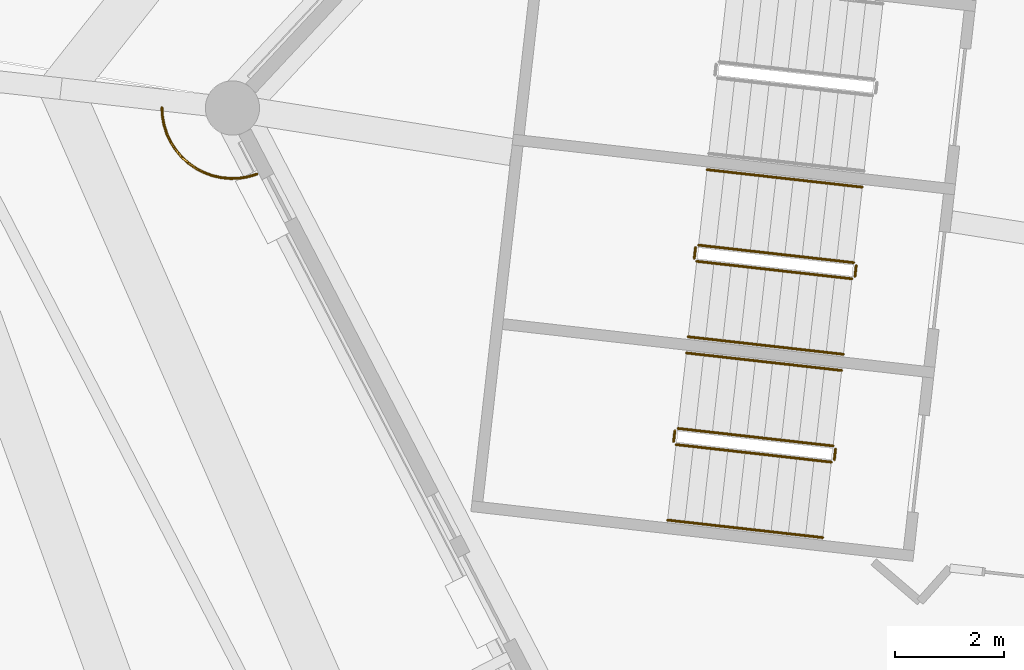
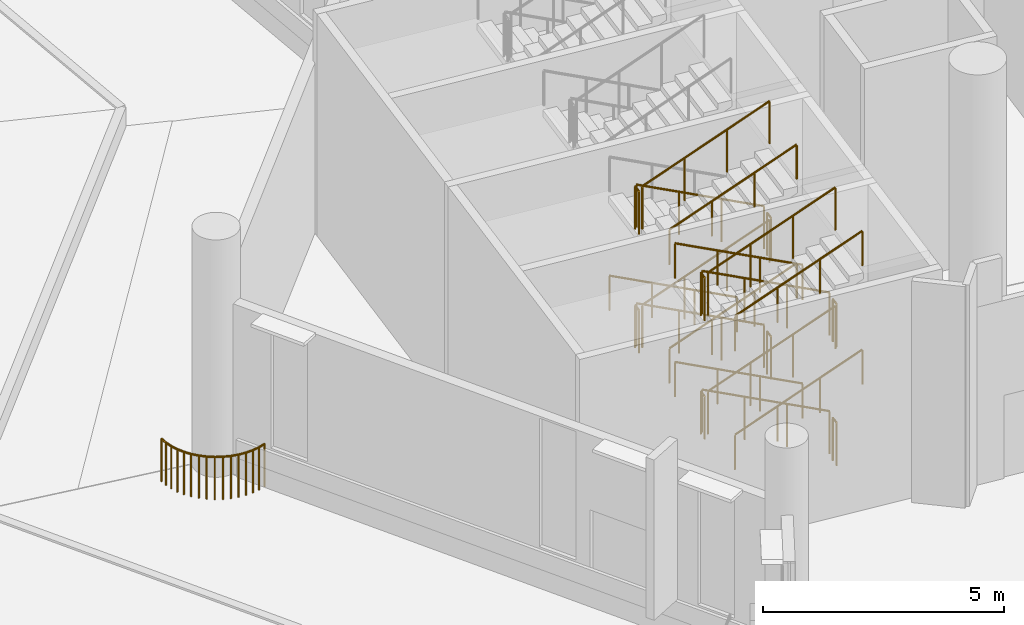
# One storey, part 146 of 173: 38 railings.
"""IFC4 building model written with IfcOpenShell, lengths in metres."""

from ifc_helpers import new_model, si_unit, direction, frame, origin, origin_2d, place, context, subcontext, project, spatial, circle, extrude, material, type_object, element, save


model = new_model("IFC4")

# Units and contexts
model_context = context("Model", 3, precision=1e-05, world=origin(), true_north=direction((0.0, 1.0)))
body_context = subcontext(model_context, "Body", "Model", "MODEL_VIEW")
ifc_project = project(units=[si_unit("LENGTHUNIT", "METRE"), si_unit("AREAUNIT", "SQUARE_METRE"), si_unit("VOLUMEUNIT", "CUBIC_METRE"), si_unit("PLANEANGLEUNIT", "RADIAN"), si_unit("MASSUNIT", "GRAM", prefix="KILO")], contexts=[model_context])

# Site, building, storey
site_placement = place(None, origin())
site = spatial("IfcSite", under=ifc_project, at=site_placement, CompositionType="ELEMENT")
building_placement = place(site_placement, origin())
building = spatial("IfcBuilding", under=site, at=building_placement, Name="Meseta Stadium", CompositionType="ELEMENT")
storey_placement = place(building_placement, frame((0.0, 0.0, 18.0)))
storey = spatial("IfcBuildingStorey", under=building, at=storey_placement, Name="L03", CompositionType="ELEMENT", Elevation=18.0)

# Railings
ifc_material_1 = material(Name="Steel S355", Category="steel")
railing_type_1 = type_object("IfcRailingType", Name="Roof garden guard 1100", PredefinedType="GUARDRAIL", material=ifc_material_1)
railing_1_placement = place(storey_placement, frame((-102.3515625, 56.2109375, 0.0)))
element("IfcRailing", 1, at=railing_1_placement, inside=storey, type_object=railing_type_1, Name="Roof garden pit guard 29.1.1", PredefinedType="GUARDRAIL", context=body_context, shape_type="SweptSolid", body=[
    extrude(circle(Radius=0.02490234375, at=origin_2d()), frame((0.0, 0.0, 1.0751953125), z_axis=(0.057175040538, -0.998364169399, 0.0), x_axis=(0.998364169399, 0.057175040538, 0.0)), (0.0, 0.0, 1.0), 0.16650390625),
    extrude(circle(Radius=0.02001953125, at=origin_2d()), origin(), (0.0, 0.0, 1.0), 1.050048828125),
    extrude(circle(Radius=0.02001953125, at=origin_2d()), frame((0.009521484375, -0.166259765625, 0.0)), (0.0, 0.0, 1.0), 1.050048828125),
])
railing_2_placement = place(storey_placement, frame((-102.342041015625, 56.044677734375, 0.0)))
element("IfcRailing", 2, at=railing_2_placement, inside=storey, type_object=railing_type_1, Name="Roof garden pit guard 29.1.2", PredefinedType="GUARDRAIL", context=body_context, shape_type="SweptSolid", body=[
    extrude(circle(Radius=0.02490234375, at=origin_2d()), frame((0.0, 0.0, 1.0751953125), z_axis=(0.18630942687, -0.98249111826, 0.0), x_axis=(0.98249111826, 0.18630942687, 0.0)), (0.0, 0.0, 1.0), 0.167724609375),
    extrude(circle(Radius=0.02001953125, at=origin_2d()), origin(), (0.0, 0.0, 1.0), 1.050048828125),
    extrude(circle(Radius=0.02001953125, at=origin_2d()), frame((0.03125, -0.164794921875, 0.0)), (0.0, 0.0, 1.0), 1.050048828125),
])
railing_3_placement = place(storey_placement, frame((-102.310791015625, 55.8798828125, 0.0)))
element("IfcRailing", 3, at=railing_3_placement, inside=storey, type_object=railing_type_1, Name="Roof garden pit guard 29.1.3", PredefinedType="GUARDRAIL", context=body_context, shape_type="SweptSolid", body=[
    extrude(circle(Radius=0.02490234375, at=origin_2d()), frame((0.0, 0.0, 1.0751953125), z_axis=(0.310106422583, -0.950701849516, 0.0), x_axis=(0.950701849516, 0.310106422583, 0.0)), (0.0, 0.0, 1.0), 0.167724609375),
    extrude(circle(Radius=0.02001953125, at=origin_2d()), origin(), (0.0, 0.0, 1.0), 1.050048828125),
    extrude(circle(Radius=0.02001953125, at=origin_2d()), frame((0.052001953125, -0.159423828125, 0.0)), (0.0, 0.0, 1.0), 1.050048828125),
])
railing_4_placement = place(storey_placement, frame((-102.2587890625, 55.720458984375, 0.0)))
element("IfcRailing", 4, at=railing_4_placement, inside=storey, type_object=railing_type_1, Name="Roof garden pit guard 29.1.4", PredefinedType="GUARDRAIL", context=body_context, shape_type="SweptSolid", body=[
    extrude(circle(Radius=0.02490234375, at=origin_2d()), frame((0.0, 0.0, 1.0751953125), z_axis=(0.429650885409, -0.902995081198, 0.0), x_axis=(0.902995081198, 0.429650885409, 0.0)), (0.0, 0.0, 1.0), 0.167724609375),
    extrude(circle(Radius=0.02001953125, at=origin_2d()), origin(), (0.0, 0.0, 1.0), 1.050048828125),
    extrude(circle(Radius=0.02001953125, at=origin_2d()), frame((0.072021484375, -0.1513671875, 0.0)), (0.0, 0.0, 1.0), 1.050048828125),
])
railing_5_placement = place(storey_placement, frame((-102.186767578125, 55.569091796875, 0.0)))
element("IfcRailing", 5, at=railing_5_placement, inside=storey, type_object=railing_type_1, Name="Roof garden pit guard 29.1.5", PredefinedType="GUARDRAIL", context=body_context, shape_type="SweptSolid", body=[
    extrude(circle(Radius=0.02490234375, at=origin_2d()), frame((0.0, 0.0, 1.0751953125), z_axis=(0.54288913588, -0.839804373734, 0.0), x_axis=(0.839804373734, 0.54288913588, 0.0)), (0.0, 0.0, 1.0), 0.167724609375),
    extrude(circle(Radius=0.02001953125, at=origin_2d()), origin(), (0.0, 0.0, 1.0), 1.050048828125),
    extrude(circle(Radius=0.02001953125, at=origin_2d()), frame((0.091064453125, -0.140869140625, 0.0)), (0.0, 0.0, 1.0), 1.050048828125),
])
railing_6_placement = place(storey_placement, frame((-102.095703125, 55.42822265625, 0.0)))
element("IfcRailing", 6, at=railing_6_placement, inside=storey, type_object=railing_type_1, Name="Roof garden pit guard 29.1.6", PredefinedType="GUARDRAIL", context=body_context, shape_type="SweptSolid", body=[
    extrude(circle(Radius=0.02490234375, at=origin_2d()), frame((0.0, 0.0, 1.0751953125), z_axis=(0.646464242284, -0.762944285939, 0.0), x_axis=(0.762944285939, 0.646464242285, 0.0)), (0.0, 0.0, 1.0), 0.167724609375),
    extrude(circle(Radius=0.02001953125, at=origin_2d()), origin(), (0.0, 0.0, 1.0), 1.050048828125),
    extrude(circle(Radius=0.02001953125, at=origin_2d()), frame((0.1083984375, -0.1279296875, 0.0)), (0.0, 0.0, 1.0), 1.050048828125),
])
railing_7_placement = place(storey_placement, frame((-101.9873046875, 55.30029296875, 0.0)))
element("IfcRailing", 7, at=railing_7_placement, inside=storey, type_object=railing_type_1, Name="Roof garden pit guard 29.1.7", PredefinedType="GUARDRAIL", context=body_context, shape_type="SweptSolid", body=[
    extrude(circle(Radius=0.02490234375, at=origin_2d()), frame((0.0, 0.0, 1.0751953125), z_axis=(0.739147948989, -0.673543101446, 0.0), x_axis=(0.673543101446, 0.739147948989, 0.0)), (0.0, 0.0, 1.0), 0.16748046875),
    extrude(circle(Radius=0.02001953125, at=origin_2d()), origin(), (0.0, 0.0, 1.0), 1.050048828125),
    extrude(circle(Radius=0.02001953125, at=origin_2d()), frame((0.123779296875, -0.11279296875, 0.0)), (0.0, 0.0, 1.0), 1.050048828125),
])
railing_8_placement = place(storey_placement, frame((-101.863525390625, 55.1875, 0.0)))
element("IfcRailing", 8, at=railing_8_placement, inside=storey, type_object=railing_type_1, Name="Roof garden pit guard 29.1.8", PredefinedType="GUARDRAIL", context=body_context, shape_type="SweptSolid", body=[
    extrude(circle(Radius=0.02490234375, at=origin_2d()), frame((0.0, 0.0, 1.0751953125), z_axis=(0.819300281691, -0.573364673155, 0.0), x_axis=(0.573364673155, 0.819300281691, 0.0)), (0.0, 0.0, 1.0), 0.167724609375),
    extrude(circle(Radius=0.02001953125, at=origin_2d()), origin(), (0.0, 0.0, 1.0), 1.050048828125),
    extrude(circle(Radius=0.02001953125, at=origin_2d()), frame((0.137451171875, -0.09619140625, 0.0)), (0.0, 0.0, 1.0), 1.050048828125),
])
railing_9_placement = place(storey_placement, frame((-101.72607421875, 55.09130859375, 0.0)))
element("IfcRailing", 9, at=railing_9_placement, inside=storey, type_object=railing_type_1, Name="Roof garden pit guard 29.1.9", PredefinedType="GUARDRAIL", context=body_context, shape_type="SweptSolid", body=[
    extrude(circle(Radius=0.02490234375, at=origin_2d()), frame((0.0, 0.0, 1.0751953125), z_axis=(0.887025945806, -0.461719580986, 0.0), x_axis=(0.461719580986, 0.887025945806, 0.0)), (0.0, 0.0, 1.0), 0.167724609375),
    extrude(circle(Radius=0.02001953125, at=origin_2d()), origin(), (0.0, 0.0, 1.0), 1.050048828125),
    extrude(circle(Radius=0.02001953125, at=origin_2d()), frame((0.148681640625, -0.077392578125, 0.0)), (0.0, 0.0, 1.0), 1.050048828125),
])
railing_10_placement = place(storey_placement, frame((-101.577392578125, 55.013916015625, 0.0)))
element("IfcRailing", 10, at=railing_10_placement, inside=storey, type_object=railing_type_1, Name="Roof garden pit guard 29.1.10", PredefinedType="GUARDRAIL", context=body_context, shape_type="SweptSolid", body=[
    extrude(circle(Radius=0.02490234375, at=origin_2d()), frame((0.0, 0.0, 1.0751953125), z_axis=(0.938640918109, -0.344895965259, 0.0), x_axis=(0.344895965259, 0.938640918109, 0.0)), (0.0, 0.0, 1.0), 0.167724609375),
    extrude(circle(Radius=0.02001953125, at=origin_2d()), origin(), (0.0, 0.0, 1.0), 1.050048828125),
    extrude(circle(Radius=0.02001953125, at=origin_2d()), frame((0.157470703125, -0.057861328125, 0.0)), (0.0, 0.0, 1.0), 1.050048828125),
])
railing_11_placement = place(storey_placement, frame((-101.419921875, 54.9560546875, 0.0)))
element("IfcRailing", 11, at=railing_11_placement, inside=storey, type_object=railing_type_1, Name="Roof garden pit guard 29.1.11", PredefinedType="GUARDRAIL", context=body_context, shape_type="SweptSolid", body=[
    extrude(circle(Radius=0.02490234375, at=origin_2d()), frame((0.0, 0.0, 1.0751953125), z_axis=(0.975461209089, -0.220171364084, 0.0), x_axis=(0.220171364084, 0.975461209089, 0.0)), (0.0, 0.0, 1.0), 0.16748046875),
    extrude(circle(Radius=0.02001953125, at=origin_2d()), origin(), (0.0, 0.0, 1.0), 1.050048828125),
    extrude(circle(Radius=0.02001953125, at=origin_2d()), frame((0.163330078125, -0.036865234375, 0.0)), (0.0, 0.0, 1.0), 1.050048828125),
])
railing_12_placement = place(storey_placement, frame((-101.256591796875, 54.919189453125, 0.0)))
element("IfcRailing", 12, at=railing_12_placement, inside=storey, type_object=railing_type_1, Name="Roof garden pit guard 29.1.12", PredefinedType="GUARDRAIL", context=body_context, shape_type="SweptSolid", body=[
    extrude(circle(Radius=0.02490234375, at=origin_2d()), frame((0.0, 0.0, 1.0751953125), z_axis=(0.995515075064, -0.094603040759, 0.0), x_axis=(0.094603040759, 0.995515075064, 0.0)), (0.0, 0.0, 1.0), 0.167724609375),
    extrude(circle(Radius=0.02001953125, at=origin_2d()), origin(), (0.0, 0.0, 1.0), 1.050048828125),
    extrude(circle(Radius=0.02001953125, at=origin_2d()), frame((0.1669921875, -0.015869140625, 0.0)), (0.0, 0.0, 1.0), 1.050048828125),
])
railing_13_placement = place(storey_placement, frame((-101.089599609375, 54.9033203125, 0.0)))
element("IfcRailing", 13, at=railing_13_placement, inside=storey, type_object=railing_type_1, Name="Roof garden pit guard 29.1.13", PredefinedType="GUARDRAIL", context=body_context, shape_type="SweptSolid", body=[
    extrude(circle(Radius=0.02490234375, at=origin_2d()), frame((0.0, 0.0, 1.0751953125), z_axis=(0.999388571323, 0.03496403165, 0.0), x_axis=(-0.03496403165, 0.999388571323, 0.0)), (0.0, 0.0, 1.0), 0.16748046875),
    extrude(circle(Radius=0.02001953125, at=origin_2d()), origin(), (0.0, 0.0, 1.0), 1.050048828125),
    extrude(circle(Radius=0.02001953125, at=origin_2d()), frame((0.16748046875, 0.005859375, 0.0)), (0.0, 0.0, 1.0), 1.050048828125),
])
railing_14_placement = place(storey_placement, frame((-100.922119140625, 54.9091796875, 0.0)))
element("IfcRailing", 14, at=railing_14_placement, inside=storey, type_object=railing_type_1, Name="Roof garden pit guard 29.1.14", PredefinedType="GUARDRAIL", context=body_context, shape_type="SweptSolid", body=[
    extrude(circle(Radius=0.02490234375, at=origin_2d()), frame((0.0, 0.0, 1.0751953125), z_axis=(0.986393923832, 0.164398987305, 0.0), x_axis=(-0.164398987305, 0.986393923832, 0.0)), (0.0, 0.0, 1.0), 0.167724609375),
    extrude(circle(Radius=0.02001953125, at=origin_2d()), origin(), (0.0, 0.0, 1.0), 1.050048828125),
    extrude(circle(Radius=0.02001953125, at=origin_2d()), frame((0.16552734375, 0.027587890625, 0.0)), (0.0, 0.0, 1.0), 1.050048828125),
])
railing_15_placement = place(storey_placement, frame((-100.756591796875, 54.936767578125, 0.0)))
element("IfcRailing", 15, at=railing_15_placement, inside=storey, type_object=railing_type_1, Name="Roof garden pit guard 29.1.15", PredefinedType="GUARDRAIL", context=body_context, shape_type="SweptSolid", body=[
    extrude(circle(Radius=0.02490234375, at=origin_2d()), frame((0.0, 0.0, 1.0751953125), z_axis=(0.957061151518, 0.28988610221, 0.0), x_axis=(-0.28988610221, 0.957061151518, 0.0)), (0.0, 0.0, 1.0), 0.16748046875),
    extrude(circle(Radius=0.02001953125, at=origin_2d()), origin(), (0.0, 0.0, 1.0), 1.050048828125),
    extrude(circle(Radius=0.02001953125, at=origin_2d()), frame((0.160400390625, 0.048583984375, 0.0)), (0.0, 0.0, 1.0), 1.050048828125),
])
ifc_material_2 = material(Name="Steel S355", Category="steel")
railing_type_2 = type_object("IfcRailingType", Name="Stair guard 1100", PredefinedType="GUARDRAIL", material=ifc_material_2)
railing_16_placement = place(storey_placement, frame((-89.598876953125, 53.3525390625, 0.14990234375)))
element("IfcRailing", 16, at=railing_16_placement, inside=storey, type_object=railing_type_2, Name="ST59 L03 guard 1", PredefinedType="GUARDRAIL", context=body_context, shape_type="SweptSolid", body=[
    extrude(circle(Radius=0.02392578125, at=origin_2d()), frame((0.0, 0.0, 1.076171875), z_axis=(-0.899747905232, 0.10139626197, 0.424467319223), x_axis=(-0.111985219376, -0.993709872468, 0.0)), (0.0, 0.0, 1.0), 3.1806640625),
    extrude(circle(Radius=0.02099609375, at=origin_2d()), origin(), (0.0, 0.0, 1.0), 1.052001953125),
    extrude(circle(Radius=0.02099609375, at=origin_2d()), frame((-0.953857421875, 0.107421875, 0.449951171875)), (0.0, 0.0, 1.0), 1.052001953125),
    extrude(circle(Radius=0.02099609375, at=origin_2d()), frame((-1.907958984375, 0.215087890625, 0.900146484375)), (0.0, 0.0, 1.0), 1.052001953125),
    extrude(circle(Radius=0.02099609375, at=origin_2d()), frame((-2.86181640625, 0.322509765625, 1.35009765625)), (0.0, 0.0, 1.0), 1.052001953125),
])
railing_17_placement = place(storey_placement, frame((-92.515869140625, 53.630859375, 1.5)))
element("IfcRailing", 17, at=railing_17_placement, inside=storey, type_object=railing_type_2, Name="ST59 L03 guard 2", PredefinedType="GUARDRAIL", context=body_context, shape_type="SweptSolid", body=[
    extrude(circle(Radius=0.02392578125, at=origin_2d()), frame((0.0, 0.0, 1.076171875), z_axis=(-0.112307083986, -0.993673547442, 0.0), x_axis=(0.993673547442, -0.112307083986, 0.0)), (0.0, 0.0, 1.0), 0.199951171875),
    extrude(circle(Radius=0.02099609375, at=origin_2d()), origin(), (0.0, 0.0, 1.0), 1.052001953125),
    extrude(circle(Radius=0.02099609375, at=origin_2d()), frame((-0.0224609375, -0.19873046875, 0.0)), (0.0, 0.0, 1.0), 1.052001953125),
])
railing_18_placement = place(storey_placement, frame((-92.494140625, 53.376953125, 1.64990234375)))
element("IfcRailing", 18, at=railing_18_placement, inside=storey, type_object=railing_type_2, Name="ST59 L03 guard 3", PredefinedType="GUARDRAIL", context=body_context, shape_type="SweptSolid", body=[
    extrude(circle(Radius=0.02392578125, at=origin_2d()), frame((0.0, 0.0, 1.076171875), z_axis=(0.899747905232, -0.10139626197, 0.424467319223), x_axis=(0.111985219376, 0.993709872468, 0.0)), (0.0, 0.0, 1.0), 3.1806640625),
    extrude(circle(Radius=0.02099609375, at=origin_2d()), origin(), (0.0, 0.0, 1.0), 1.052001953125),
    extrude(circle(Radius=0.02099609375, at=origin_2d()), frame((0.953857421875, -0.107421875, 0.449951171875)), (0.0, 0.0, 1.0), 1.052001953125),
    extrude(circle(Radius=0.02099609375, at=origin_2d()), frame((1.907958984375, -0.215087890625, 0.900146484375)), (0.0, 0.0, 1.0), 1.052001953125),
    extrude(circle(Radius=0.02099609375, at=origin_2d()), frame((2.86181640625, -0.322509765625, 1.35009765625)), (0.0, 0.0, 1.0), 1.052001953125),
])
railing_19_placement = place(storey_placement, frame((-89.5546875, 53.29736328125, 3.0)))
element("IfcRailing", 19, at=railing_19_placement, inside=storey, type_object=railing_type_2, Name="ST59 L03 guard 4", PredefinedType="GUARDRAIL", context=body_context, shape_type="SweptSolid", body=[
    extrude(circle(Radius=0.02392578125, at=origin_2d()), frame((0.0, 0.0, 1.076171875), z_axis=(-0.112307083986, -0.993673547442, 0.0), x_axis=(0.993673547442, -0.112307083986, 0.0)), (0.0, 0.0, 1.0), 0.199951171875),
    extrude(circle(Radius=0.02099609375, at=origin_2d()), origin(), (0.0, 0.0, 1.0), 1.052001953125),
    extrude(circle(Radius=0.02099609375, at=origin_2d()), frame((-0.0224609375, -0.19873046875, 0.0)), (0.0, 0.0, 1.0), 1.052001953125),
])
railing_20_placement = place(storey_placement, frame((-89.598876953125, 53.3525390625, 3.14990234375)))
element("IfcRailing", 20, at=railing_20_placement, inside=storey, type_object=railing_type_2, Name="ST59 L03 guard 5", PredefinedType="GUARDRAIL", context=body_context, shape_type="SweptSolid", body=[
    extrude(circle(Radius=0.02392578125, at=origin_2d()), frame((0.0, 0.0, 1.076171875), z_axis=(-0.899747905232, 0.10139626197, 0.424467319223), x_axis=(-0.111985219376, -0.993709872468, 0.0)), (0.0, 0.0, 1.0), 3.1806640625),
    extrude(circle(Radius=0.02099609375, at=origin_2d()), origin(), (0.0, 0.0, 1.0), 1.052001953125),
    extrude(circle(Radius=0.02099609375, at=origin_2d()), frame((-0.953857421875, 0.107421875, 0.449951171875)), (0.0, 0.0, 1.0), 1.052001953125),
    extrude(circle(Radius=0.02099609375, at=origin_2d()), frame((-1.907958984375, 0.215087890625, 0.900146484375)), (0.0, 0.0, 1.0), 1.052001953125),
    extrude(circle(Radius=0.02099609375, at=origin_2d()), frame((-2.86181640625, 0.322509765625, 1.35009765625)), (0.0, 0.0, 1.0), 1.052001953125),
])
railing_21_placement = place(storey_placement, frame((-92.515869140625, 53.630859375, 4.5)))
element("IfcRailing", 21, at=railing_21_placement, inside=storey, type_object=railing_type_2, Name="ST59 L03 guard 6", PredefinedType="GUARDRAIL", context=body_context, shape_type="SweptSolid", body=[
    extrude(circle(Radius=0.02392578125, at=origin_2d()), frame((0.0, 0.0, 1.076171875), z_axis=(-0.112307083986, -0.993673547442, 0.0), x_axis=(0.993673547442, -0.112307083986, 0.0)), (0.0, 0.0, 1.0), 0.199951171875),
    extrude(circle(Radius=0.02099609375, at=origin_2d()), origin(), (0.0, 0.0, 1.0), 1.052001953125),
    extrude(circle(Radius=0.02099609375, at=origin_2d()), frame((-0.0224609375, -0.19873046875, 0.0)), (0.0, 0.0, 1.0), 1.052001953125),
])
railing_22_placement = place(storey_placement, frame((-92.494140625, 53.376953125, 4.64990234375)))
element("IfcRailing", 22, at=railing_22_placement, inside=storey, type_object=railing_type_2, Name="ST59 L03 guard 7", PredefinedType="GUARDRAIL", context=body_context, shape_type="SweptSolid", body=[
    extrude(circle(Radius=0.02392578125, at=origin_2d()), frame((0.0, 0.0, 1.076171875), z_axis=(0.899747905232, -0.10139626197, 0.424467319223), x_axis=(0.111985219376, 0.993709872468, 0.0)), (0.0, 0.0, 1.0), 3.1806640625),
    extrude(circle(Radius=0.02099609375, at=origin_2d()), origin(), (0.0, 0.0, 1.0), 1.052001953125),
    extrude(circle(Radius=0.02099609375, at=origin_2d()), frame((0.953857421875, -0.107421875, 0.449951171875)), (0.0, 0.0, 1.0), 1.052001953125),
    extrude(circle(Radius=0.02099609375, at=origin_2d()), frame((1.907958984375, -0.215087890625, 0.900146484375)), (0.0, 0.0, 1.0), 1.052001953125),
    extrude(circle(Radius=0.02099609375, at=origin_2d()), frame((2.86181640625, -0.322509765625, 1.35009765625)), (0.0, 0.0, 1.0), 1.052001953125),
])
railing_23_placement = place(storey_placement, frame((-89.5546875, 53.29736328125, 0.0)))
element("IfcRailing", 23, at=railing_23_placement, inside=storey, type_object=railing_type_2, Name="ST59 L03 guard 8", PredefinedType="GUARDRAIL", context=body_context, shape_type="SweptSolid", body=[
    extrude(circle(Radius=0.02392578125, at=origin_2d()), frame((0.0, 0.0, 1.076171875), z_axis=(-0.112307083986, -0.993673547442, 0.0), x_axis=(0.993673547442, -0.112307083986, 0.0)), (0.0, 0.0, 1.0), 0.199951171875),
    extrude(circle(Radius=0.02099609375, at=origin_2d()), origin(), (0.0, 0.0, 1.0), 1.052001953125),
    extrude(circle(Radius=0.02099609375, at=origin_2d()), frame((-0.0224609375, -0.19873046875, 0.0)), (0.0, 0.0, 1.0), 1.052001953125),
])
railing_24_placement = place(storey_placement, frame((-89.9794921875, 49.973876953125, 0.14990234375)))
element("IfcRailing", 24, at=railing_24_placement, inside=storey, type_object=railing_type_2, Name="ST60 L03 guard 1", PredefinedType="GUARDRAIL", context=body_context, shape_type="SweptSolid", body=[
    extrude(circle(Radius=0.02392578125, at=origin_2d()), frame((0.0, 0.0, 1.076171875), z_axis=(-0.899747905232, 0.10139626197, 0.424467319223), x_axis=(-0.111985219376, -0.993709872468, 0.0)), (0.0, 0.0, 1.0), 3.1806640625),
    extrude(circle(Radius=0.02099609375, at=origin_2d()), origin(), (0.0, 0.0, 1.0), 1.052001953125),
    extrude(circle(Radius=0.02099609375, at=origin_2d()), frame((-0.953857421875, 0.107421875, 0.449951171875)), (0.0, 0.0, 1.0), 1.052001953125),
    extrude(circle(Radius=0.02099609375, at=origin_2d()), frame((-1.907958984375, 0.215087890625, 0.900146484375)), (0.0, 0.0, 1.0), 1.052001953125),
    extrude(circle(Radius=0.02099609375, at=origin_2d()), frame((-2.86181640625, 0.322509765625, 1.35009765625)), (0.0, 0.0, 1.0), 1.052001953125),
])
railing_25_placement = place(storey_placement, frame((-92.896728515625, 50.25244140625, 1.5)))
element("IfcRailing", 25, at=railing_25_placement, inside=storey, type_object=railing_type_2, Name="ST60 L03 guard 2", PredefinedType="GUARDRAIL", context=body_context, shape_type="SweptSolid", body=[
    extrude(circle(Radius=0.02392578125, at=origin_2d()), frame((0.0, 0.0, 1.076171875), z_axis=(-0.111101504696, -0.993809063983, 0.0), x_axis=(0.993809063983, -0.111101504696, 0.0)), (0.0, 0.0, 1.0), 0.199951171875),
    extrude(circle(Radius=0.02099609375, at=origin_2d()), origin(), (0.0, 0.0, 1.0), 1.052001953125),
    extrude(circle(Radius=0.02099609375, at=origin_2d()), frame((-0.022216796875, -0.19873046875, 0.0)), (0.0, 0.0, 1.0), 1.052001953125),
])
railing_26_placement = place(storey_placement, frame((-92.875, 49.998291015625, 1.64990234375)))
element("IfcRailing", 26, at=railing_26_placement, inside=storey, type_object=railing_type_2, Name="ST60 L03 guard 3", PredefinedType="GUARDRAIL", context=body_context, shape_type="SweptSolid", body=[
    extrude(circle(Radius=0.02392578125, at=origin_2d()), frame((0.0, 0.0, 1.076171875), z_axis=(0.899762522411, -0.101389259755, 0.424438006392), x_axis=(0.11197578655, 0.993710935447, 0.0)), (0.0, 0.0, 1.0), 3.180908203125),
    extrude(circle(Radius=0.02099609375, at=origin_2d()), origin(), (0.0, 0.0, 1.0), 1.052001953125),
    extrude(circle(Radius=0.02099609375, at=origin_2d()), frame((0.9541015625, -0.107421875, 0.449951171875)), (0.0, 0.0, 1.0), 1.052001953125),
    extrude(circle(Radius=0.02099609375, at=origin_2d()), frame((1.907958984375, -0.215087890625, 0.900146484375)), (0.0, 0.0, 1.0), 1.052001953125),
    extrude(circle(Radius=0.02099609375, at=origin_2d()), frame((2.862060546875, -0.322509765625, 1.35009765625)), (0.0, 0.0, 1.0), 1.052001953125),
])
railing_27_placement = place(storey_placement, frame((-89.935302734375, 49.918701171875, 3.0)))
element("IfcRailing", 27, at=railing_27_placement, inside=storey, type_object=railing_type_2, Name="ST60 L03 guard 4", PredefinedType="GUARDRAIL", context=body_context, shape_type="SweptSolid", body=[
    extrude(circle(Radius=0.02392578125, at=origin_2d()), frame((0.0, 0.0, 1.076171875), z_axis=(-0.112307083986, -0.993673547442, 0.0), x_axis=(0.993673547442, -0.112307083986, 0.0)), (0.0, 0.0, 1.0), 0.199951171875),
    extrude(circle(Radius=0.02099609375, at=origin_2d()), origin(), (0.0, 0.0, 1.0), 1.052001953125),
    extrude(circle(Radius=0.02099609375, at=origin_2d()), frame((-0.0224609375, -0.19873046875, 0.0)), (0.0, 0.0, 1.0), 1.052001953125),
])
railing_28_placement = place(storey_placement, frame((-89.9794921875, 49.973876953125, 3.14990234375)))
element("IfcRailing", 28, at=railing_28_placement, inside=storey, type_object=railing_type_2, Name="ST60 L03 guard 5", PredefinedType="GUARDRAIL", context=body_context, shape_type="SweptSolid", body=[
    extrude(circle(Radius=0.02392578125, at=origin_2d()), frame((0.0, 0.0, 1.076171875), z_axis=(-0.899747905232, 0.10139626197, 0.424467319223), x_axis=(-0.111985219376, -0.993709872468, 0.0)), (0.0, 0.0, 1.0), 3.1806640625),
    extrude(circle(Radius=0.02099609375, at=origin_2d()), origin(), (0.0, 0.0, 1.0), 1.052001953125),
    extrude(circle(Radius=0.02099609375, at=origin_2d()), frame((-0.953857421875, 0.107421875, 0.449951171875)), (0.0, 0.0, 1.0), 1.052001953125),
    extrude(circle(Radius=0.02099609375, at=origin_2d()), frame((-1.907958984375, 0.215087890625, 0.900146484375)), (0.0, 0.0, 1.0), 1.052001953125),
    extrude(circle(Radius=0.02099609375, at=origin_2d()), frame((-2.86181640625, 0.322509765625, 1.35009765625)), (0.0, 0.0, 1.0), 1.052001953125),
])
railing_29_placement = place(storey_placement, frame((-92.896728515625, 50.25244140625, 4.5)))
element("IfcRailing", 29, at=railing_29_placement, inside=storey, type_object=railing_type_2, Name="ST60 L03 guard 6", PredefinedType="GUARDRAIL", context=body_context, shape_type="SweptSolid", body=[
    extrude(circle(Radius=0.02392578125, at=origin_2d()), frame((0.0, 0.0, 1.076171875), z_axis=(-0.111101504696, -0.993809063983, 0.0), x_axis=(0.993809063983, -0.111101504696, 0.0)), (0.0, 0.0, 1.0), 0.199951171875),
    extrude(circle(Radius=0.02099609375, at=origin_2d()), origin(), (0.0, 0.0, 1.0), 1.052001953125),
    extrude(circle(Radius=0.02099609375, at=origin_2d()), frame((-0.022216796875, -0.19873046875, 0.0)), (0.0, 0.0, 1.0), 1.052001953125),
])
railing_30_placement = place(storey_placement, frame((-92.875, 49.998291015625, 4.64990234375)))
element("IfcRailing", 30, at=railing_30_placement, inside=storey, type_object=railing_type_2, Name="ST60 L03 guard 7", PredefinedType="GUARDRAIL", context=body_context, shape_type="SweptSolid", body=[
    extrude(circle(Radius=0.02392578125, at=origin_2d()), frame((0.0, 0.0, 1.076171875), z_axis=(0.899762522411, -0.101389259755, 0.424438006392), x_axis=(0.11197578655, 0.993710935447, 0.0)), (0.0, 0.0, 1.0), 3.180908203125),
    extrude(circle(Radius=0.02099609375, at=origin_2d()), origin(), (0.0, 0.0, 1.0), 1.052001953125),
    extrude(circle(Radius=0.02099609375, at=origin_2d()), frame((0.9541015625, -0.107421875, 0.449951171875)), (0.0, 0.0, 1.0), 1.052001953125),
    extrude(circle(Radius=0.02099609375, at=origin_2d()), frame((1.907958984375, -0.215087890625, 0.900146484375)), (0.0, 0.0, 1.0), 1.052001953125),
    extrude(circle(Radius=0.02099609375, at=origin_2d()), frame((2.862060546875, -0.322509765625, 1.35009765625)), (0.0, 0.0, 1.0), 1.052001953125),
])
railing_31_placement = place(storey_placement, frame((-89.935302734375, 49.918701171875, 0.0)))
element("IfcRailing", 31, at=railing_31_placement, inside=storey, type_object=railing_type_2, Name="ST60 L03 guard 8", PredefinedType="GUARDRAIL", context=body_context, shape_type="SweptSolid", body=[
    extrude(circle(Radius=0.02392578125, at=origin_2d()), frame((0.0, 0.0, 1.076171875), z_axis=(-0.112307083986, -0.993673547442, 0.0), x_axis=(0.993673547442, -0.112307083986, 0.0)), (0.0, 0.0, 1.0), 0.199951171875),
    extrude(circle(Radius=0.02099609375, at=origin_2d()), origin(), (0.0, 0.0, 1.0), 1.052001953125),
    extrude(circle(Radius=0.02099609375, at=origin_2d()), frame((-0.0224609375, -0.19873046875, 0.0)), (0.0, 0.0, 1.0), 1.052001953125),
])
ifc_material_3 = material(Name="Steel S355", Category="steel")
railing_type_3 = type_object("IfcRailingType", Name="Stair handrail 900", PredefinedType="HANDRAIL", material=ifc_material_3)
railing_32_placement = place(storey_placement, frame((-89.442138671875, 54.743896484375, 0.14990234375)))
element("IfcRailing", 32, at=railing_32_placement, inside=storey, type_object=railing_type_3, Name="ST59 L03 handrail 1", PredefinedType="HANDRAIL", context=body_context, shape_type="SweptSolid", body=[
    extrude(circle(Radius=0.02392578125, at=origin_2d()), frame((0.0, 0.0, 0.8759765625), z_axis=(-0.899754905305, 0.101320293039, 0.424470621595), x_axis=(-0.111901508232, -0.993719302648, 0.0)), (0.0, 0.0, 1.0), 3.1806640625),
    extrude(circle(Radius=0.02099609375, at=origin_2d()), origin(), (0.0, 0.0, 1.0), 0.851806640625),
    extrude(circle(Radius=0.02099609375, at=origin_2d()), frame((-0.953857421875, 0.107421875, 0.449951171875)), (0.0, 0.0, 1.0), 0.851806640625),
    extrude(circle(Radius=0.02099609375, at=origin_2d()), frame((-1.907958984375, 0.21484375, 0.900146484375)), (0.0, 0.0, 1.0), 0.851806640625),
    extrude(circle(Radius=0.02099609375, at=origin_2d()), frame((-2.86181640625, 0.322265625, 1.35009765625)), (0.0, 0.0, 1.0), 0.851806640625),
])
for number, where, name in (
    (33, (-92.65087890625, 51.98583984375, 1.64990234375), "ST59 L03 handrail 2"),
    (34, (-92.65087890625, 51.98583984375, 4.64990234375), "ST59 L03 handrail 4"),
):
    element("IfcRailing", number, at=place(storey_placement, frame(where)), inside=storey, type_object=railing_type_3, Name=name, PredefinedType="HANDRAIL", context=body_context, shape_type="SweptSolid", body=[
        extrude(circle(Radius=0.02392578125, at=origin_2d()), frame((0.0, 0.0, 0.8759765625), z_axis=(0.899747905232, -0.10139626197, 0.424467319223), x_axis=(0.111985219376, 0.993709872468, 0.0)), (0.0, 0.0, 1.0), 3.1806640625),
        extrude(circle(Radius=0.02099609375, at=origin_2d()), origin(), (0.0, 0.0, 1.0), 0.851806640625),
        extrude(circle(Radius=0.02099609375, at=origin_2d()), frame((0.953857421875, -0.107421875, 0.449951171875)), (0.0, 0.0, 1.0), 0.851806640625),
        extrude(circle(Radius=0.02099609375, at=origin_2d()), frame((1.907958984375, -0.215087890625, 0.900146484375)), (0.0, 0.0, 1.0), 0.851806640625),
        extrude(circle(Radius=0.02099609375, at=origin_2d()), frame((2.86181640625, -0.322509765625, 1.35009765625)), (0.0, 0.0, 1.0), 0.851806640625),
    ])
railing_33_placement = place(storey_placement, frame((-89.82275390625, 51.365234375, 0.14990234375)))
element("IfcRailing", 35, at=railing_33_placement, inside=storey, type_object=railing_type_3, Name="ST60 L03 handrail 1", PredefinedType="HANDRAIL", context=body_context, shape_type="SweptSolid", body=[
    extrude(circle(Radius=0.02392578125, at=origin_2d()), frame((0.0, 0.0, 0.8759765625), z_axis=(-0.899747905232, 0.10139626197, 0.424467319223), x_axis=(-0.111985219376, -0.993709872468, 0.0)), (0.0, 0.0, 1.0), 3.1806640625),
    extrude(circle(Radius=0.02099609375, at=origin_2d()), origin(), (0.0, 0.0, 1.0), 0.851806640625),
    extrude(circle(Radius=0.02099609375, at=origin_2d()), frame((-0.953857421875, 0.107421875, 0.449951171875)), (0.0, 0.0, 1.0), 0.851806640625),
    extrude(circle(Radius=0.02099609375, at=origin_2d()), frame((-1.907958984375, 0.215087890625, 0.900146484375)), (0.0, 0.0, 1.0), 0.851806640625),
    extrude(circle(Radius=0.02099609375, at=origin_2d()), frame((-2.86181640625, 0.322509765625, 1.35009765625)), (0.0, 0.0, 1.0), 0.851806640625),
])
railing_34_placement = place(storey_placement, frame((-93.03173828125, 48.607177734375, 1.64990234375)))
element("IfcRailing", 36, at=railing_34_placement, inside=storey, type_object=railing_type_3, Name="ST60 L03 handrail 2", PredefinedType="HANDRAIL", context=body_context, shape_type="SweptSolid", body=[
    extrude(circle(Radius=0.02392578125, at=origin_2d()), frame((0.0, 0.0, 0.8759765625), z_axis=(0.899762522411, -0.101389259755, 0.424438006392), x_axis=(0.11197578655, 0.993710935447, 0.0)), (0.0, 0.0, 1.0), 3.180908203125),
    extrude(circle(Radius=0.02099609375, at=origin_2d()), origin(), (0.0, 0.0, 1.0), 0.851806640625),
    extrude(circle(Radius=0.02099609375, at=origin_2d()), frame((0.9541015625, -0.107421875, 0.449951171875)), (0.0, 0.0, 1.0), 0.851806640625),
    extrude(circle(Radius=0.02099609375, at=origin_2d()), frame((1.907958984375, -0.215087890625, 0.900146484375)), (0.0, 0.0, 1.0), 0.851806640625),
    extrude(circle(Radius=0.02099609375, at=origin_2d()), frame((2.862060546875, -0.322509765625, 1.35009765625)), (0.0, 0.0, 1.0), 0.851806640625),
])
railing_35_placement = place(storey_placement, frame((-89.82275390625, 51.365234375, 3.14990234375)))
element("IfcRailing", 37, at=railing_35_placement, inside=storey, type_object=railing_type_3, Name="ST60 L03 handrail 3", PredefinedType="HANDRAIL", context=body_context, shape_type="SweptSolid", body=[
    extrude(circle(Radius=0.02392578125, at=origin_2d()), frame((0.0, 0.0, 0.8759765625), z_axis=(-0.899747905232, 0.10139626197, 0.424467319223), x_axis=(-0.111985219376, -0.993709872468, 0.0)), (0.0, 0.0, 1.0), 3.1806640625),
    extrude(circle(Radius=0.02099609375, at=origin_2d()), origin(), (0.0, 0.0, 1.0), 0.851806640625),
    extrude(circle(Radius=0.02099609375, at=origin_2d()), frame((-0.953857421875, 0.107421875, 0.449951171875)), (0.0, 0.0, 1.0), 0.851806640625),
    extrude(circle(Radius=0.02099609375, at=origin_2d()), frame((-1.907958984375, 0.215087890625, 0.900146484375)), (0.0, 0.0, 1.0), 0.851806640625),
    extrude(circle(Radius=0.02099609375, at=origin_2d()), frame((-2.86181640625, 0.322509765625, 1.35009765625)), (0.0, 0.0, 1.0), 0.851806640625),
])
railing_36_placement = place(storey_placement, frame((-93.03173828125, 48.607177734375, 4.64990234375)))
element("IfcRailing", 38, at=railing_36_placement, inside=storey, type_object=railing_type_3, Name="ST60 L03 handrail 4", PredefinedType="HANDRAIL", context=body_context, shape_type="SweptSolid", body=[
    extrude(circle(Radius=0.02392578125, at=origin_2d()), frame((0.0, 0.0, 0.8759765625), z_axis=(0.899762522411, -0.101389259755, 0.424438006392), x_axis=(0.11197578655, 0.993710935447, 0.0)), (0.0, 0.0, 1.0), 3.180908203125),
    extrude(circle(Radius=0.02099609375, at=origin_2d()), origin(), (0.0, 0.0, 1.0), 0.851806640625),
    extrude(circle(Radius=0.02099609375, at=origin_2d()), frame((0.9541015625, -0.107421875, 0.449951171875)), (0.0, 0.0, 1.0), 0.851806640625),
    extrude(circle(Radius=0.02099609375, at=origin_2d()), frame((1.907958984375, -0.215087890625, 0.900146484375)), (0.0, 0.0, 1.0), 0.851806640625),
    extrude(circle(Radius=0.02099609375, at=origin_2d()), frame((2.862060546875, -0.322509765625, 1.35009765625)), (0.0, 0.0, 1.0), 0.851806640625),
])

save(model, "model.ifc")
